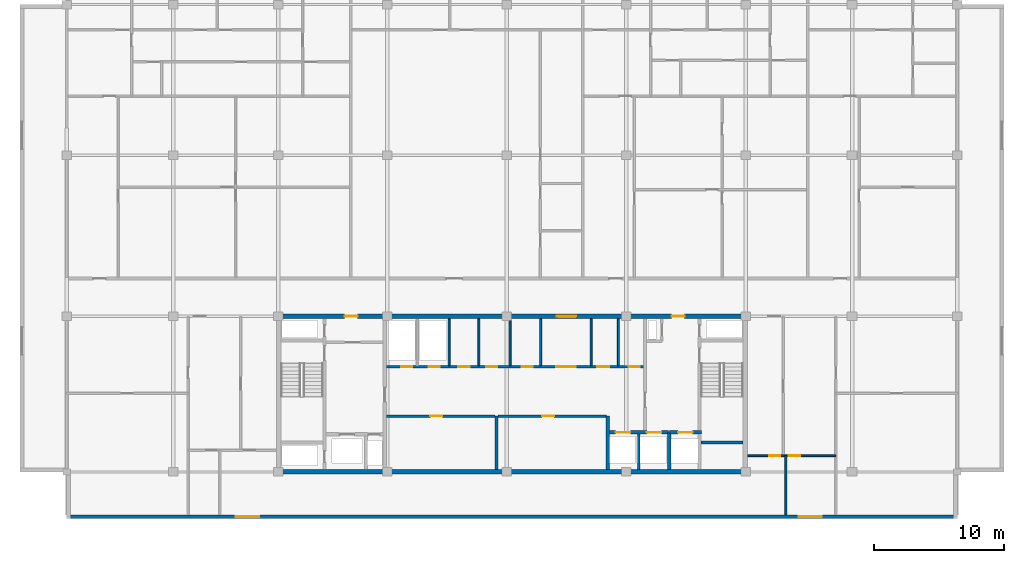
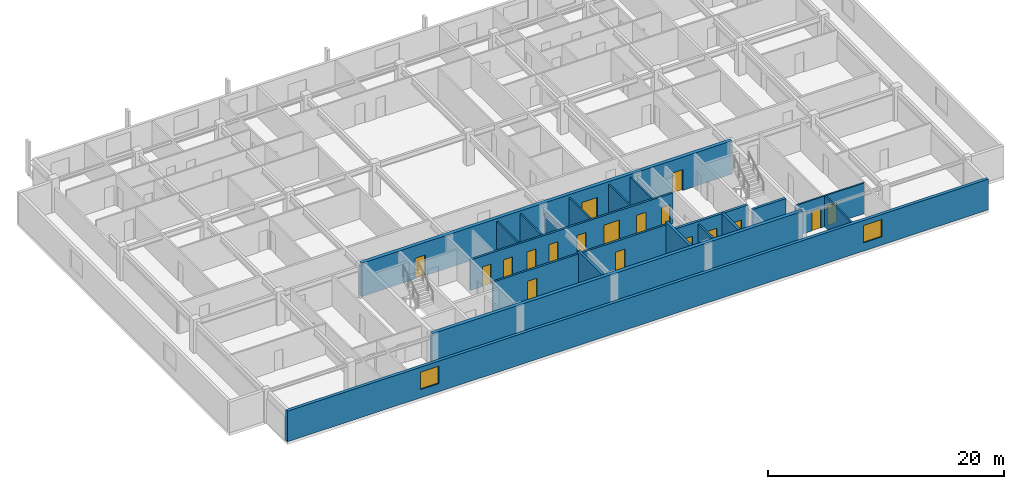
# One storey, part 4 of 10: 21 walls, 18 doors, 2 windows, 20 openings.
"""IFC4 building model written with IfcOpenShell, lengths in metres."""

from ifc_helpers import new_model, si_unit, direction, frame, frame_2d, origin, place, context, subcontext, project, spatial, rectangle, extrude, material, layer, layer_set, type_object, element, fill, save


model = new_model("IFC4")

# Units and contexts
model_context = context("Model", 3, precision=1e-05, world=origin(), true_north=direction((0.0, 1.0)))
body_context = subcontext(model_context, "Body", "Model", "MODEL_VIEW")
ifc_project = project(units=[si_unit("LENGTHUNIT", "METRE"), si_unit("AREAUNIT", "SQUARE_METRE"), si_unit("VOLUMEUNIT", "CUBIC_METRE"), si_unit("PLANEANGLEUNIT", "RADIAN"), si_unit("MASSUNIT", "GRAM", prefix="KILO")], contexts=[model_context])

# Site, building, storey
site_placement = place(None, origin())
site = spatial("IfcSite", under=ifc_project, at=site_placement, CompositionType="ELEMENT")
building_placement = place(site_placement, origin())
building = spatial("IfcBuilding", under=site, at=building_placement, Name="Korimba Cascade Residences", CompositionType="ELEMENT")
storey_placement = place(building_placement, frame((0.0, 0.0, 232.10009765625)))
storey = spatial("IfcBuildingStorey", under=building, at=storey_placement, Name="L67", CompositionType="ELEMENT", Elevation=232.10009765625)

# Wall, openings, windows
ifc_material_1 = material(Name="Precast concrete C40/50", Category="concrete")
ifc_layer_1 = layer(ifc_material_1, 0.300048828125)
ifc_layer_set_1 = layer_set([ifc_layer_1], Name="Precast concrete C40/50")
wall_type_1 = type_object("IfcWallType", Name="EW-STONE-300", PredefinedType="STANDARD", material=ifc_layer_set_1)
wall_1_placement = place(storey_placement, frame((59.800048828125, 51.75, 0.0), z_axis=(0.0, 0.0, 1.0), x_axis=(1.0, 0.0, 0.0)))
wall_1 = element("IfcWall", 1, at=wall_1_placement, inside=storey, type_object=wall_type_1, Name="L67 T1 Perimeter Stone Wall E00", PredefinedType="STANDARD", context=body_context, shape_type="SweptSolid", body=[
    extrude(rectangle(XDim=68.599853515625, YDim=0.300048828125, at=frame_2d((34.2998046875, 0.0))), origin(), (0.0, 0.0, 1.0), 3.169921875),
])
opening_1_placement = place(wall_1_placement, frame((13.02490234375, 0.0, 0.85009765625)))
opening_1 = element("IfcOpeningElement", 2, at=opening_1_placement, cuts=wall_1, Name="Opening W-02", PredefinedType="OPENING", context=body_context, shape_type="SweptSolid", body=[
    extrude(rectangle(XDim=1.800048828125, YDim=1.800048828125, at=frame_2d((0.89990234375, 0.89990234375))), frame((0.0, 0.16015625, 0.0), z_axis=(0.0, -1.0, 0.0), x_axis=(1.0, 0.0, 0.0)), (0.0, 0.0, 1.0), 0.320068359375),
])
opening_2_placement = place(wall_1_placement, frame((56.375, 0.0, 0.85009765625)))
opening_2 = element("IfcOpeningElement", 3, at=opening_2_placement, cuts=wall_1, Name="Opening W-02", PredefinedType="OPENING", context=body_context, shape_type="SweptSolid", body=[
    extrude(rectangle(XDim=1.800048828125, YDim=1.800048828125, at=frame_2d((0.89990234375, 0.89990234375))), frame((0.0, 0.16015625, 0.0), z_axis=(0.0, -1.0, 0.0), x_axis=(1.0, 0.0, 0.0)), (0.0, 0.0, 1.0), 0.320068359375),
])
ifc_material_2 = material(Name="Double-Glazed Aluminium Window", Category="aluminium")
window_type = type_object("IfcWindowType", Name="WIN-BED-1800", PartitioningType="SINGLE_PANEL", PredefinedType="WINDOW", material=ifc_material_2)
window_1_placement = place(opening_1_placement, origin())
window_1 = element("IfcWindow", 4, at=window_1_placement, inside=storey, type_object=window_type, Name="L67 T1 South Corner Bedroom Window 1", OverallHeight=1.800048828125, OverallWidth=1.800048828125, PartitioningType="SINGLE_PANEL", PredefinedType="WINDOW", context=body_context, shape_type="SweptSolid", body=[
    extrude(rectangle(XDim=1.800048828125, YDim=1.800048828125, at=frame_2d((0.89990234375, 0.89990234375))), frame((0.0, 0.030029296875, 0.0), z_axis=(0.0, -1.0, 0.0), x_axis=(1.0, 0.0, 0.0)), (0.0, 0.0, 1.0), 0.06005859375),
])
fill(opening_1, window_1)
window_2_placement = place(opening_2_placement, origin())
window_2 = element("IfcWindow", 5, at=window_2_placement, inside=storey, type_object=window_type, Name="L67 T1 South Corner Bedroom Window 2", OverallHeight=1.800048828125, OverallWidth=1.800048828125, PartitioningType="SINGLE_PANEL", PredefinedType="WINDOW", context=body_context, shape_type="SweptSolid", body=[
    extrude(rectangle(XDim=1.800048828125, YDim=1.800048828125, at=frame_2d((0.89990234375, 0.89990234375))), frame((0.0, 0.030029296875, 0.0), z_axis=(0.0, -1.0, 0.0), x_axis=(1.0, 0.0, 0.0)), (0.0, 0.0, 1.0), 0.06005859375),
])
fill(opening_2, window_2)

# Wall
ifc_material_3 = material(Name="Concrete C65/80", Category="concrete")
ifc_layer_2 = layer(ifc_material_3, 0.35009765625)
ifc_layer_set_2 = layer_set([ifc_layer_2], Name="Concrete C65/80")
wall_type_2 = type_object("IfcWallType", Name="WAL-CORE-350", PredefinedType="SHEAR", material=ifc_layer_set_2)
wall_2_placement = place(storey_placement, frame((75.949951171875, 55.199951171875, 0.0), z_axis=(0.0, 0.0, 1.0), x_axis=(1.0, 0.0, 0.0)))
element("IfcWall", 6, at=wall_2_placement, inside=storey, type_object=wall_type_2, Name="L67 Core Shear Wall CW-L67-T1-S", PredefinedType="SHEAR", context=body_context, shape_type="SweptSolid", body=[
    extrude(rectangle(XDim=36.300048828125, YDim=0.35009765625, at=frame_2d((18.14990234375, 0.0))), origin(), (0.0, 0.0, 1.0), 3.449951171875),
])

# Wall, openings, doors
wall_3_placement = place(storey_placement, frame((75.949951171875, 67.199951171875, 0.0), z_axis=(0.0, 0.0, 1.0), x_axis=(1.0, 0.0, 0.0)))
wall_3 = element("IfcWall", 7, at=wall_3_placement, inside=storey, type_object=wall_type_2, Name="L67 Core Shear Wall CW-L67-T1-N", PredefinedType="SHEAR", context=body_context, shape_type="SweptSolid", body=[
    extrude(rectangle(XDim=36.300048828125, YDim=0.35009765625, at=frame_2d((18.14990234375, 0.0))), origin(), (0.0, 0.0, 1.0), 3.449951171875),
])
opening_3_placement = place(wall_3_placement, frame((5.25, 0.0, 0.0)))
opening_3 = element("IfcOpeningElement", 8, at=opening_3_placement, cuts=wall_3, Name="Opening D-FD5", PredefinedType="OPENING", context=body_context, shape_type="SweptSolid", body=[
    extrude(rectangle(XDim=1.0, YDim=2.14990234375, at=frame_2d((0.5, 1.074951171875))), frame((0.0, 0.18505859375, 0.0), z_axis=(0.0, -1.0, 0.0), x_axis=(1.0, 0.0, 0.0)), (0.0, 0.0, 1.0), 0.3701171875),
])
opening_4_placement = place(wall_3_placement, frame((21.60009765625, 0.0, 0.0)))
opening_4 = element("IfcOpeningElement", 9, at=opening_4_placement, cuts=wall_3, Name="Opening D-FD8", PredefinedType="OPENING", context=body_context, shape_type="SweptSolid", body=[
    extrude(rectangle(XDim=1.5, YDim=2.199951171875, at=frame_2d((0.75, 1.10009765625))), frame((0.0, 0.18505859375, 0.0), z_axis=(0.0, -1.0, 0.0), x_axis=(1.0, 0.0, 0.0)), (0.0, 0.0, 1.0), 0.3701171875),
])
opening_5_placement = place(wall_3_placement, frame((30.449951171875, 0.0, 0.0)))
opening_5 = element("IfcOpeningElement", 10, at=opening_5_placement, cuts=wall_3, Name="Opening D-FD5", PredefinedType="OPENING", context=body_context, shape_type="SweptSolid", body=[
    extrude(rectangle(XDim=1.0, YDim=2.14990234375, at=frame_2d((0.5, 1.074951171875))), frame((0.0, 0.18505859375, 0.0), z_axis=(0.0, -1.0, 0.0), x_axis=(1.0, 0.0, 0.0)), (0.0, 0.0, 1.0), 0.3701171875),
])
ifc_material_4 = material(Name="Fire-Rated Acoustic Timber Vestibule Door", Category="wood")
door_type_1 = type_object("IfcDoorType", Name="DR-FD90-1000", OperationType="NOTDEFINED", PredefinedType="DOOR", material=ifc_material_4)
door_1_placement = place(opening_3_placement, origin())
door_1 = element("IfcDoor", 11, at=door_1_placement, inside=storey, type_object=door_type_1, Name="L67 T1 West Core Vestibule Fire Door", OperationType="SINGLE_SWING_LEFT", OverallHeight=2.14990234375, OverallWidth=1.0, PredefinedType="DOOR", context=body_context, shape_type="SweptSolid", body=[
    extrude(rectangle(XDim=1.0, YDim=2.14990234375, at=frame_2d((0.5, 1.074951171875))), frame((0.0, 0.02490234375, 0.0), z_axis=(0.0, -1.0, 0.0), x_axis=(1.0, 0.0, 0.0)), (0.0, 0.0, 1.0), 0.050048828125),
])
fill(opening_3, door_1)
door_2_placement = place(opening_5_placement, origin())
door_2 = element("IfcDoor", 12, at=door_2_placement, inside=storey, type_object=door_type_1, Name="L67 T1 East Firefighting Vestibule Fire Door", OperationType="SINGLE_SWING_RIGHT", OverallHeight=2.14990234375, OverallWidth=1.0, PredefinedType="DOOR", context=body_context, shape_type="SweptSolid", body=[
    extrude(rectangle(XDim=1.0, YDim=2.14990234375, at=frame_2d((0.5, 1.074951171875))), frame((0.0, 0.02490234375, 0.0), z_axis=(0.0, -1.0, 0.0), x_axis=(1.0, 0.0, 0.0)), (0.0, 0.0, 1.0), 0.050048828125),
])
fill(opening_5, door_2)
ifc_material_5 = material(Name="Fire-Rated Glazed Lift Lobby Double Door", Category="glass")
door_type_2 = type_object("IfcDoorType", Name="DR-FD90-1500", OperationType="NOTDEFINED", PredefinedType="DOOR", material=ifc_material_5)
door_3_placement = place(opening_4_placement, origin())
door_3 = element("IfcDoor", 13, at=door_3_placement, inside=storey, type_object=door_type_2, Name="L67 T1 Lift Lobby Fire Door", OperationType="DOUBLE_DOOR_SINGLE_SWING", OverallHeight=2.199951171875, OverallWidth=1.5, PredefinedType="DOOR", context=body_context, shape_type="SweptSolid", body=[
    extrude(rectangle(XDim=1.5, YDim=2.199951171875, at=frame_2d((0.75, 1.10009765625))), frame((0.0, 0.02490234375, 0.0), z_axis=(0.0, -1.0, 0.0), x_axis=(1.0, 0.0, 0.0)), (0.0, 0.0, 1.0), 0.050048828125),
])
fill(opening_4, door_3)

# Walls
ifc_material_6 = material(Name="Insulated Acoustic Stud Partition", Category="gypsum")
ifc_layer_3 = layer(ifc_material_6, 0.14990234375)
ifc_layer_set_3 = layer_set([ifc_layer_3], Name="Insulated Acoustic Stud Partition")
wall_type_3 = type_object("IfcWallType", Name="WAL-PART-150", PredefinedType="PARTITIONING", material=ifc_layer_set_3)
for number, where, z_axis, x_axis, name in (
    (14, (89.25, 63.39990234375, 0.0), (0.0, 0.0, 1.0), (0.0, 1.0, 0.0), "L67 Partition Wall CW-L67-T1-PRDIV"),
    (15, (91.550048828125, 63.39990234375, 0.0), (0.0, 0.0, 1.0), (0.0, 1.0, 0.0), "L67 Partition Wall CW-L67-T1-CA1W1"),
):
    element("IfcWall", number, at=place(storey_placement, frame(where, z_axis=z_axis, x_axis=x_axis)), inside=storey, type_object=wall_type_3, Name=name, PredefinedType="PARTITIONING", context=body_context, shape_type="SweptSolid", body=[
        extrude(rectangle(XDim=3.60009765625, YDim=0.14990234375, at=frame_2d((1.800048828125, 0.0))), origin(), (0.0, 0.0, 1.0), 3.169921875),
    ])
wall_4_placement = place(storey_placement, frame((93.949951171875, 63.39990234375, 0.0), z_axis=(0.0, 0.0, 1.0), x_axis=(0.0, 1.0, 0.0)))
element("IfcWall", 16, at=wall_4_placement, inside=storey, type_object=wall_type_3, Name="L67 Partition Wall CW-L67-T1-CA1W2", PredefinedType="PARTITIONING", context=body_context, shape_type="SweptSolid", body=[
    extrude(rectangle(XDim=3.60009765625, YDim=0.14990234375, at=frame_2d((1.800048828125, 0.0))), origin(), (0.0, 0.0, 1.0), 2.47705078125),
])
for number, where, z_axis, x_axis, name in (
    (17, (102.300048828125, 63.39990234375, 0.0), (0.0, 0.0, 1.0), (0.0, 1.0, 0.0), "L67 Partition Wall CW-L67-T1-CA1E1"),
    (18, (96.300048828125, 63.39990234375, 0.0), (0.0, 0.0, 1.0), (0.0, 1.0, 0.0), "L67 Partition Wall CW-L67-T1-THW"),
    (19, (100.199951171875, 63.39990234375, 0.0), (0.0, 0.0, 1.0), (0.0, 1.0, 0.0), "L67 Partition Wall CW-L67-T1-THE"),
):
    element("IfcWall", number, at=place(storey_placement, frame(where, z_axis=z_axis, x_axis=x_axis)), inside=storey, type_object=wall_type_3, Name=name, PredefinedType="PARTITIONING", context=body_context, shape_type="SweptSolid", body=[
        extrude(rectangle(XDim=3.60009765625, YDim=0.14990234375, at=frame_2d((1.800048828125, 0.0))), origin(), (0.0, 0.0, 1.0), 3.169921875),
    ])
wall_5_placement = place(storey_placement, frame((115.199951171875, 51.89990234375, 0.0), z_axis=(0.0, 0.0, 1.0), x_axis=(0.0, 1.0, 0.0)))
element("IfcWall", 20, at=wall_5_placement, inside=storey, type_object=wall_type_3, Name="L67 Partition Wall WAL-L67-T1-FE-VS", PredefinedType="PARTITIONING", context=body_context, shape_type="SweptSolid", body=[
    extrude(rectangle(XDim=4.550048828125, YDim=0.14990234375, at=frame_2d((2.27490234375, 0.0))), origin(), (0.0, 0.0, 1.0), 3.169921875),
])

# Wall, openings, doors
wall_6_placement = place(storey_placement, frame((112.27001953125, 56.449951171875, 0.0), z_axis=(0.0, 0.0, 1.0), x_axis=(1.0, 0.0, 0.0)))
wall_6 = element("IfcWall", 21, at=wall_6_placement, inside=storey, type_object=wall_type_3, Name="L67 Partition Wall WAL-L67-T1-FE-H", PredefinedType="PARTITIONING", context=body_context, shape_type="SweptSolid", body=[
    extrude(rectangle(XDim=6.760009765625, YDim=0.14990234375, at=frame_2d((3.3798828125, 0.0))), origin(), (0.0, 0.0, 1.0), 3.169921875),
])
opening_6_placement = place(wall_6_placement, frame((1.6396484375, 0.0, 0.0)))
opening_6 = element("IfcOpeningElement", 22, at=opening_6_placement, cuts=wall_6, Name="Opening D-BT1", PredefinedType="OPENING", context=body_context, shape_type="SweptSolid", body=[
    extrude(rectangle(XDim=0.840087890625, YDim=2.0400390625, at=frame_2d((0.419921875, 1.02001953125))), frame((0.0, 0.0849609375, 0.0), z_axis=(0.0, -1.0, 0.0), x_axis=(1.0, 0.0, 0.0)), (0.0, 0.0, 1.0), 0.169921875),
])
opening_7_placement = place(wall_6_placement, frame((3.160400390625, 0.0, 0.0)))
opening_7 = element("IfcOpeningElement", 23, at=opening_7_placement, cuts=wall_6, Name="Opening D-IN2", PredefinedType="OPENING", context=body_context, shape_type="SweptSolid", body=[
    extrude(rectangle(XDim=0.8798828125, YDim=2.06005859375, at=frame_2d((0.43994140625, 1.030029296875))), frame((0.0, 0.0849609375, 0.0), z_axis=(0.0, -1.0, 0.0), x_axis=(1.0, 0.0, 0.0)), (0.0, 0.0, 1.0), 0.169921875),
])
ifc_material_7 = material(Name="Moisture-Resistant Bathroom Timber Door", Category="wood")
door_type_3 = type_object("IfcDoorType", Name="DR-INT-850", OperationType="NOTDEFINED", PredefinedType="DOOR", material=ifc_material_7)
door_4_placement = place(opening_6_placement, origin())
door_4 = element("IfcDoor", 24, at=door_4_placement, inside=storey, type_object=door_type_3, Name="L67-T1-FE Bathroom Door", OperationType="SINGLE_SWING_LEFT", OverallHeight=2.0400390625, OverallWidth=0.840087890625, PredefinedType="DOOR", context=body_context, shape_type="SweptSolid", body=[
    extrude(rectangle(XDim=0.840087890625, YDim=2.0400390625, at=frame_2d((0.419921875, 1.02001953125))), frame((0.0, 0.02490234375, 0.0), z_axis=(0.0, -1.0, 0.0), x_axis=(1.0, 0.0, 0.0)), (0.0, 0.0, 1.0), 0.050048828125),
])
fill(opening_6, door_4)
ifc_material_8 = material(Name="Acoustic Timber Bedroom Door", Category="wood")
door_type_4 = type_object("IfcDoorType", Name="DR-INT-880", OperationType="NOTDEFINED", PredefinedType="DOOR", material=ifc_material_8)
door_5_placement = place(opening_7_placement, origin())
door_5 = element("IfcDoor", 25, at=door_5_placement, inside=storey, type_object=door_type_4, Name="L67-T1-FE Bedroom Door", OperationType="SINGLE_SWING_RIGHT", OverallHeight=2.06005859375, OverallWidth=0.8798828125, PredefinedType="DOOR", context=body_context, shape_type="SweptSolid", body=[
    extrude(rectangle(XDim=0.8798828125, YDim=2.06005859375, at=frame_2d((0.43994140625, 1.030029296875))), frame((0.0, 0.02490234375, 0.0), z_axis=(0.0, -1.0, 0.0), x_axis=(1.0, 0.0, 0.0)), (0.0, 0.0, 1.0), 0.050048828125),
])
fill(opening_7, door_5)

# Wall, opening, door
ifc_material_9 = material(Name="Concrete C40/50", Category="concrete")
ifc_layer_4 = layer(ifc_material_9, 0.199951171875)
ifc_layer_set_4 = layer_set([ifc_layer_4], Name="Concrete C40/50")
wall_type_4 = type_object("IfcWallType", Name="WAL-PART-200", PredefinedType="PARTITIONING", material=ifc_layer_set_4)
wall_7_placement = place(storey_placement, frame((84.419921875, 59.5, 0.0), z_axis=(0.0, 0.0, 1.0), x_axis=(1.0, 0.0, 0.0)))
wall_7 = element("IfcWall", 26, at=wall_7_placement, inside=storey, type_object=wall_type_4, Name="L67 Partition Wall CW-L67-T1-B1RN", PredefinedType="PARTITIONING", context=body_context, shape_type="SweptSolid", body=[
    extrude(rectangle(XDim=8.360107421875, YDim=0.199951171875, at=frame_2d((4.18017578125, 0.0))), origin(), (0.0, 0.0, 1.0), 3.169921875),
])
opening_8_placement = place(wall_7_placement, frame((3.39990234375, 0.0, 0.0)))
opening_8 = element("IfcOpeningElement", 27, at=opening_8_placement, cuts=wall_7, Name="Opening D-ST1", PredefinedType="OPENING", context=body_context, shape_type="SweptSolid", body=[
    extrude(rectangle(XDim=0.919921875, YDim=2.080078125, at=frame_2d((0.4599609375, 1.0400390625))), frame((0.0, 0.10986328125, 0.0), z_axis=(0.0, -1.0, 0.0), x_axis=(1.0, 0.0, 0.0)), (0.0, 0.0, 1.0), 0.219970703125),
])
ifc_material_10 = material(Name="Fire-Rated Core Store Door", Category="wood")
door_type_5 = type_object("IfcDoorType", Name="DR-FD60-920", OperationType="NOTDEFINED", PredefinedType="DOOR", material=ifc_material_10)
door_6_placement = place(opening_8_placement, origin())
door_6 = element("IfcDoor", 28, at=door_6_placement, inside=storey, type_object=door_type_5, Name="L67 Resident Storage Door", OperationType="SINGLE_SWING_LEFT", OverallHeight=2.080078125, OverallWidth=0.919921875, PredefinedType="DOOR", context=body_context, shape_type="SweptSolid", body=[
    extrude(rectangle(XDim=0.919921875, YDim=2.080078125, at=frame_2d((0.4599609375, 1.0400390625))), frame((0.0, 0.02490234375, 0.0), z_axis=(0.0, -1.0, 0.0), x_axis=(1.0, 0.0, 0.0)), (0.0, 0.0, 1.0), 0.050048828125),
])
fill(opening_8, door_6)

wall_8_placement = place(storey_placement, frame((93.02001953125, 59.5, 0.0), z_axis=(0.0, 0.0, 1.0), x_axis=(1.0, 0.0, 0.0)))
wall_8 = element("IfcWall", 29, at=wall_8_placement, inside=storey, type_object=wall_type_4, Name="L67 Partition Wall CW-L67-T1-B2RN", PredefinedType="PARTITIONING", context=body_context, shape_type="SweptSolid", body=[
    extrude(rectangle(XDim=8.35986328125, YDim=0.199951171875, at=frame_2d((4.179931640625, 0.0))), origin(), (0.0, 0.0, 1.0), 3.169921875),
])
opening_9_placement = place(wall_8_placement, frame((3.39990234375, 0.0, 0.0)))
opening_9 = element("IfcOpeningElement", 30, at=opening_9_placement, cuts=wall_8, Name="Opening D-ST1", PredefinedType="OPENING", context=body_context, shape_type="SweptSolid", body=[
    extrude(rectangle(XDim=0.919921875, YDim=2.080078125, at=frame_2d((0.4599609375, 1.0400390625))), frame((0.0, 0.10986328125, 0.0), z_axis=(0.0, -1.0, 0.0), x_axis=(1.0, 0.0, 0.0)), (0.0, 0.0, 1.0), 0.219970703125),
])
door_7_placement = place(opening_9_placement, origin())
door_7 = element("IfcDoor", 31, at=door_7_placement, inside=storey, type_object=door_type_5, Name="L67 Wine Cellar Store Door", OperationType="SINGLE_SWING_RIGHT", OverallHeight=2.080078125, OverallWidth=0.919921875, PredefinedType="DOOR", context=body_context, shape_type="SweptSolid", body=[
    extrude(rectangle(XDim=0.919921875, YDim=2.080078125, at=frame_2d((0.4599609375, 1.0400390625))), frame((0.0, 0.02490234375, 0.0), z_axis=(0.0, -1.0, 0.0), x_axis=(1.0, 0.0, 0.0)), (0.0, 0.0, 1.0), 0.050048828125),
])
fill(opening_9, door_7)

# Wall
wall_9_placement = place(storey_placement, frame((103.85009765625, 55.39990234375, 0.0), z_axis=(0.0, 0.0, 1.0), x_axis=(0.0, 1.0, 0.0)))
element("IfcWall", 32, at=wall_9_placement, inside=storey, type_object=wall_type_4, Name="L67 Partition Wall CW-L67-T1-B3D1", PredefinedType="PARTITIONING", context=body_context, shape_type="SweptSolid", body=[
    extrude(rectangle(XDim=2.72021484375, YDim=0.199951171875, at=frame_2d((1.360107421875, 0.0))), origin(), (0.0, 0.0, 1.0), 3.169921875),
])

# Wall, openings, doors
wall_10_placement = place(storey_placement, frame((84.419921875, 63.300048828125, 0.0), z_axis=(0.0, 0.0, 1.0), x_axis=(1.0, 0.0, 0.0)))
wall_10 = element("IfcWall", 33, at=wall_10_placement, inside=storey, type_object=wall_type_4, Name="L67 Partition Wall CW-L67-T1-SRVROW", PredefinedType="PARTITIONING", context=body_context, shape_type="SweptSolid", body=[
    extrude(rectangle(XDim=19.830078125, YDim=0.199951171875, at=frame_2d((9.9150390625, 0.0))), origin(), (0.0, 0.0, 1.0), 3.169921875),
])
opening_10_placement = place(wall_10_placement, frame((1.14990234375, 0.0, 0.0)))
opening_10 = element("IfcOpeningElement", 34, at=opening_10_placement, cuts=wall_10, Name="Opening D-RS1", PredefinedType="OPENING", context=body_context, shape_type="SweptSolid", body=[
    extrude(rectangle(XDim=0.85009765625, YDim=2.050048828125, at=frame_2d((0.425048828125, 1.02490234375))), frame((0.0, 0.10986328125, 0.0), z_axis=(0.0, -1.0, 0.0), x_axis=(1.0, 0.0, 0.0)), (0.0, 0.0, 1.0), 0.219970703125),
])
opening_11_placement = place(wall_10_placement, frame((3.25, 0.0, 0.0)))
opening_11 = element("IfcOpeningElement", 35, at=opening_11_placement, cuts=wall_10, Name="Opening D-RS1", PredefinedType="OPENING", context=body_context, shape_type="SweptSolid", body=[
    extrude(rectangle(XDim=0.85009765625, YDim=2.050048828125, at=frame_2d((0.425048828125, 1.02490234375))), frame((0.0, 0.10986328125, 0.0), z_axis=(0.0, -1.0, 0.0), x_axis=(1.0, 0.0, 0.0)), (0.0, 0.0, 1.0), 0.219970703125),
])
opening_12_placement = place(wall_10_placement, frame((13.080078125, 0.0, 0.0)))
opening_12 = element("IfcOpeningElement", 36, at=opening_12_placement, cuts=wall_10, Name="Opening D-FD8", PredefinedType="OPENING", context=body_context, shape_type="SweptSolid", body=[
    extrude(rectangle(XDim=1.5, YDim=2.199951171875, at=frame_2d((0.75, 1.10009765625))), frame((0.0, 0.10986328125, 0.0), z_axis=(0.0, -1.0, 0.0), x_axis=(1.0, 0.0, 0.0)), (0.0, 0.0, 1.0), 0.219970703125),
])
opening_13_placement = place(wall_10_placement, frame((5.530029296875, 0.0, 0.0)))
opening_13 = element("IfcOpeningElement", 37, at=opening_13_placement, cuts=wall_10, Name="Opening D-IN2", PredefinedType="OPENING", context=body_context, shape_type="SweptSolid", body=[
    extrude(rectangle(XDim=0.8798828125, YDim=2.06005859375, at=frame_2d((0.43994140625, 1.030029296875))), frame((0.0, 0.10986328125, 0.0), z_axis=(0.0, -1.0, 0.0), x_axis=(1.0, 0.0, 0.0)), (0.0, 0.0, 1.0), 0.219970703125),
])
opening_14_placement = place(wall_10_placement, frame((7.679931640625, 0.0, 0.0)))
opening_14 = element("IfcOpeningElement", 38, at=opening_14_placement, cuts=wall_10, Name="Opening D-IN2", PredefinedType="OPENING", context=body_context, shape_type="SweptSolid", body=[
    extrude(rectangle(XDim=0.8798828125, YDim=2.06005859375, at=frame_2d((0.43994140625, 1.030029296875))), frame((0.0, 0.10986328125, 0.0), z_axis=(0.0, -1.0, 0.0), x_axis=(1.0, 0.0, 0.0)), (0.0, 0.0, 1.0), 0.219970703125),
])
opening_15_placement = place(wall_10_placement, frame((10.429931640625, 0.0, 0.0)))
opening_15 = element("IfcOpeningElement", 39, at=opening_15_placement, cuts=wall_10, Name="Opening D-RS1", PredefinedType="OPENING", context=body_context, shape_type="SweptSolid", body=[
    extrude(rectangle(XDim=0.85009765625, YDim=2.050048828125, at=frame_2d((0.425048828125, 1.02490234375))), frame((0.0, 0.10986328125, 0.0), z_axis=(0.0, -1.0, 0.0), x_axis=(1.0, 0.0, 0.0)), (0.0, 0.0, 1.0), 0.219970703125),
])
opening_16_placement = place(wall_10_placement, frame((16.22998046875, 0.0, 0.0)))
opening_16 = element("IfcOpeningElement", 40, at=opening_16_placement, cuts=wall_10, Name="Opening D-AC1", PredefinedType="OPENING", context=body_context, shape_type="SweptSolid", body=[
    extrude(rectangle(XDim=0.9599609375, YDim=2.10009765625, at=frame_2d((0.47998046875, 1.050048828125))), frame((0.0, 0.10986328125, 0.0), z_axis=(0.0, -1.0, 0.0), x_axis=(1.0, 0.0, 0.0)), (0.0, 0.0, 1.0), 0.219970703125),
])
opening_17_placement = place(wall_10_placement, frame((18.679931640625, 0.0, 0.0)))
opening_17 = element("IfcOpeningElement", 41, at=opening_17_placement, cuts=wall_10, Name="Opening D-BT1", PredefinedType="OPENING", context=body_context, shape_type="SweptSolid", body=[
    extrude(rectangle(XDim=0.840087890625, YDim=2.0400390625, at=frame_2d((0.419921875, 1.02001953125))), frame((0.0, 0.10986328125, 0.0), z_axis=(0.0, -1.0, 0.0), x_axis=(1.0, 0.0, 0.0)), (0.0, 0.0, 1.0), 0.219970703125),
])
ifc_material_11 = material(Name="Accessible Acoustic Timber WC Door", Category="wood")
door_type_6 = type_object("IfcDoorType", Name="DR-ACC-950", OperationType="NOTDEFINED", PredefinedType="DOOR", material=ifc_material_11)
door_8_placement = place(opening_16_placement, origin())
door_8 = element("IfcDoor", 42, at=door_8_placement, inside=storey, type_object=door_type_6, Name="L67 Accessible Staff WC Door", OperationType="SINGLE_SWING_RIGHT", OverallHeight=2.10009765625, OverallWidth=0.9599609375, PredefinedType="DOOR", context=body_context, shape_type="SweptSolid", body=[
    extrude(rectangle(XDim=0.9599609375, YDim=2.10009765625, at=frame_2d((0.47998046875, 1.050048828125))), frame((0.0, 0.02490234375, 0.0), z_axis=(0.0, -1.0, 0.0), x_axis=(1.0, 0.0, 0.0)), (0.0, 0.0, 1.0), 0.050048828125),
])
fill(opening_16, door_8)
ifc_material_12 = material(Name="Fire-Rated Steel Riser Access Door", Category="steel")
door_type_7 = type_object("IfcDoorType", Name="DR-FD60-850", OperationType="NOTDEFINED", PredefinedType="DOOR", material=ifc_material_12)
door_9_placement = place(opening_10_placement, origin())
door_9 = element("IfcDoor", 43, at=door_9_placement, inside=storey, type_object=door_type_7, Name="L67 Electrical Riser Door", OperationType="SINGLE_SWING_LEFT", OverallHeight=2.050048828125, OverallWidth=0.85009765625, PredefinedType="DOOR", context=body_context, shape_type="SweptSolid", body=[
    extrude(rectangle(XDim=0.85009765625, YDim=2.050048828125, at=frame_2d((0.425048828125, 1.02490234375))), frame((0.0, 0.02490234375, 0.0), z_axis=(0.0, -1.0, 0.0), x_axis=(1.0, 0.0, 0.0)), (0.0, 0.0, 1.0), 0.050048828125),
])
fill(opening_10, door_9)
door_10_placement = place(opening_11_placement, origin())
door_10 = element("IfcDoor", 44, at=door_10_placement, inside=storey, type_object=door_type_7, Name="L67 Plumbing Riser Door", OperationType="SINGLE_SWING_RIGHT", OverallHeight=2.050048828125, OverallWidth=0.85009765625, PredefinedType="DOOR", context=body_context, shape_type="SweptSolid", body=[
    extrude(rectangle(XDim=0.85009765625, YDim=2.050048828125, at=frame_2d((0.425048828125, 1.02490234375))), frame((0.0, 0.02490234375, 0.0), z_axis=(0.0, -1.0, 0.0), x_axis=(1.0, 0.0, 0.0)), (0.0, 0.0, 1.0), 0.050048828125),
])
fill(opening_11, door_10)
door_11_placement = place(opening_15_placement, origin())
door_11 = element("IfcDoor", 45, at=door_11_placement, inside=storey, type_object=door_type_7, Name="L67 IT Room Door", OperationType="SINGLE_SWING_LEFT", OverallHeight=2.050048828125, OverallWidth=0.85009765625, PredefinedType="DOOR", context=body_context, shape_type="SweptSolid", body=[
    extrude(rectangle(XDim=0.85009765625, YDim=2.050048828125, at=frame_2d((0.425048828125, 1.02490234375))), frame((0.0, 0.02490234375, 0.0), z_axis=(0.0, -1.0, 0.0), x_axis=(1.0, 0.0, 0.0)), (0.0, 0.0, 1.0), 0.050048828125),
])
fill(opening_15, door_11)
door_12_placement = place(opening_12_placement, origin())
door_12 = element("IfcDoor", 46, at=door_12_placement, inside=storey, type_object=door_type_2, Name="L67 Lift Lobby Foyer Archway Door", OperationType="DOUBLE_DOOR_SINGLE_SWING", OverallHeight=2.199951171875, OverallWidth=1.5, PredefinedType="DOOR", context=body_context, shape_type="SweptSolid", body=[
    extrude(rectangle(XDim=1.5, YDim=2.199951171875, at=frame_2d((0.75, 1.10009765625))), frame((0.0, 0.02490234375, 0.0), z_axis=(0.0, -1.0, 0.0), x_axis=(1.0, 0.0, 0.0)), (0.0, 0.0, 1.0), 0.050048828125),
])
fill(opening_12, door_12)
door_13_placement = place(opening_17_placement, origin())
door_13 = element("IfcDoor", 47, at=door_13_placement, inside=storey, type_object=door_type_3, Name="L67 Vending Room Door", OperationType="SINGLE_SWING_LEFT", OverallHeight=2.0400390625, OverallWidth=0.840087890625, PredefinedType="DOOR", context=body_context, shape_type="SweptSolid", body=[
    extrude(rectangle(XDim=0.840087890625, YDim=2.0400390625, at=frame_2d((0.419921875, 1.02001953125))), frame((0.0, 0.02490234375, 0.0), z_axis=(0.0, -1.0, 0.0), x_axis=(1.0, 0.0, 0.0)), (0.0, 0.0, 1.0), 0.050048828125),
])
fill(opening_17, door_13)
door_14_placement = place(opening_13_placement, origin())
door_14 = element("IfcDoor", 48, at=door_14_placement, inside=storey, type_object=door_type_4, Name="L67 Cleaners Door", OperationType="SINGLE_SWING_LEFT", OverallHeight=2.06005859375, OverallWidth=0.8798828125, PredefinedType="DOOR", context=body_context, shape_type="SweptSolid", body=[
    extrude(rectangle(XDim=0.8798828125, YDim=2.06005859375, at=frame_2d((0.43994140625, 1.030029296875))), frame((0.0, 0.02490234375, 0.0), z_axis=(0.0, -1.0, 0.0), x_axis=(1.0, 0.0, 0.0)), (0.0, 0.0, 1.0), 0.050048828125),
])
fill(opening_13, door_14)
door_15_placement = place(opening_14_placement, origin())
door_15 = element("IfcDoor", 49, at=door_15_placement, inside=storey, type_object=door_type_4, Name="L67 Pantry Door", OperationType="SINGLE_SWING_RIGHT", OverallHeight=2.06005859375, OverallWidth=0.8798828125, PredefinedType="DOOR", context=body_context, shape_type="SweptSolid", body=[
    extrude(rectangle(XDim=0.8798828125, YDim=2.06005859375, at=frame_2d((0.43994140625, 1.030029296875))), frame((0.0, 0.02490234375, 0.0), z_axis=(0.0, -1.0, 0.0), x_axis=(1.0, 0.0, 0.0)), (0.0, 0.0, 1.0), 0.050048828125),
])
fill(opening_14, door_15)

# Walls
ifc_material_13 = material(Name="Concrete C50/60", Category="concrete")
ifc_layer_5 = layer(ifc_material_13, 0.25)
ifc_layer_set_5 = layer_set([ifc_layer_5], Name="Concrete C50/60")
wall_type_5 = type_object("IfcWallType", Name="WAL-SHAFT-250", PredefinedType="SHEAR", material=ifc_layer_set_5)
for number, where, z_axis, x_axis, name in (
    (50, (92.89990234375, 55.39990234375, 0.0), (0.0, 0.0, 1.0), (0.0, 1.0, 0.0), "L67 Core Shear Wall CW-L67-T1-B12DIV"),
    (51, (101.47998046875, 55.39990234375, 0.0), (0.0, 0.0, 1.0), (0.0, 1.0, 0.0), "L67 Core Shear Wall CW-L67-T1-B23DIV"),
):
    element("IfcWall", number, at=place(storey_placement, frame(where, z_axis=z_axis, x_axis=x_axis)), inside=storey, type_object=wall_type_5, Name=name, PredefinedType="SHEAR", context=body_context, shape_type="SweptSolid", body=[
        extrude(rectangle(XDim=4.10009765625, YDim=0.25, at=frame_2d((2.050048828125, 0.0))), origin(), (0.0, 0.0, 1.0), 3.449951171875),
    ])

# Wall, openings, doors
wall_11_placement = place(storey_placement, frame((101.550048828125, 58.25, 0.0), z_axis=(0.0, 0.0, 1.0), x_axis=(1.0, 0.0, 0.0)))
wall_11 = element("IfcWall", 52, at=wall_11_placement, inside=storey, type_object=wall_type_5, Name="L67 Core Shear Wall CW-L67-T1-B3N", PredefinedType="SHEAR", context=body_context, shape_type="SweptSolid", body=[
    extrude(rectangle(XDim=4.599853515625, YDim=0.25, at=frame_2d((2.2998046875, 0.0))), origin(), (0.0, 0.0, 1.0), 3.449951171875),
])
opening_18_placement = place(wall_11_placement, frame((0.5400390625, 0.0, 0.0)))
opening_18 = element("IfcOpeningElement", 53, at=opening_18_placement, cuts=wall_11, Name="Opening LD-01", PredefinedType="OPENING", context=body_context, shape_type="SweptSolid", body=[
    extrude(rectangle(XDim=1.1201171875, YDim=2.1201171875, at=frame_2d((0.56005859375, 1.06005859375))), frame((0.0, 0.135009765625, 0.0), z_axis=(0.0, -1.0, 0.0), x_axis=(1.0, 0.0, 0.0)), (0.0, 0.0, 1.0), 0.27001953125),
])
opening_19_placement = place(wall_11_placement, frame((2.93994140625, 0.0, 0.0)))
opening_19 = element("IfcOpeningElement", 54, at=opening_19_placement, cuts=wall_11, Name="Opening LD-01", PredefinedType="OPENING", context=body_context, shape_type="SweptSolid", body=[
    extrude(rectangle(XDim=1.1201171875, YDim=2.1201171875, at=frame_2d((0.56005859375, 1.06005859375))), frame((0.0, 0.135009765625, 0.0), z_axis=(0.0, -1.0, 0.0), x_axis=(1.0, 0.0, 0.0)), (0.0, 0.0, 1.0), 0.27001953125),
])
ifc_material_14 = material(Name="Stainless Steel Lift Landing Sliding Door", Category="steel")
door_type_8 = type_object("IfcDoorType", Name="DR-LIFT-1100", OperationType="NOTDEFINED", PredefinedType="DOOR", material=ifc_material_14)
door_16_placement = place(opening_18_placement, origin())
door_16 = element("IfcDoor", 55, at=door_16_placement, inside=storey, type_object=door_type_8, Name="L67 Lift Landing Door PL-W7", OperationType="SLIDING_TO_LEFT", OverallHeight=2.1201171875, OverallWidth=1.1201171875, PredefinedType="DOOR", context=body_context, shape_type="SweptSolid", body=[
    extrude(rectangle(XDim=1.1201171875, YDim=2.1201171875, at=frame_2d((0.56005859375, 1.06005859375))), frame((0.0, 0.02490234375, 0.0), z_axis=(0.0, -1.0, 0.0), x_axis=(1.0, 0.0, 0.0)), (0.0, 0.0, 1.0), 0.050048828125),
])
fill(opening_18, door_16)
door_17_placement = place(opening_19_placement, origin())
door_17 = element("IfcDoor", 56, at=door_17_placement, inside=storey, type_object=door_type_8, Name="L67 Lift Landing Door PL-W8", OperationType="SLIDING_TO_LEFT", OverallHeight=2.1201171875, OverallWidth=1.1201171875, PredefinedType="DOOR", context=body_context, shape_type="SweptSolid", body=[
    extrude(rectangle(XDim=1.1201171875, YDim=2.1201171875, at=frame_2d((0.56005859375, 1.06005859375))), frame((0.0, 0.02490234375, 0.0), z_axis=(0.0, -1.0, 0.0), x_axis=(1.0, 0.0, 0.0)), (0.0, 0.0, 1.0), 0.050048828125),
])
fill(opening_19, door_17)

# Wall
wall_12_placement = place(storey_placement, frame((106.219970703125, 55.39990234375, 0.0), z_axis=(0.0, 0.0, 1.0), x_axis=(0.0, 1.0, 0.0)))
element("IfcWall", 57, at=wall_12_placement, inside=storey, type_object=wall_type_5, Name="L67 Core Shear Wall CW-L67-T1-FF2W", PredefinedType="SHEAR", context=body_context, shape_type="SweptSolid", body=[
    extrude(rectangle(XDim=2.85009765625, YDim=0.25, at=frame_2d((1.425048828125, 0.0))), origin(), (0.0, 0.0, 1.0), 3.449951171875),
])

# Wall, opening, door
wall_13_placement = place(storey_placement, frame((106.219970703125, 58.25, 0.0), z_axis=(0.0, 0.0, 1.0), x_axis=(1.0, 0.0, 0.0)))
wall_13 = element("IfcWall", 58, at=wall_13_placement, inside=storey, type_object=wall_type_5, Name="L67 Core Shear Wall CW-L67-T1-FF2N", PredefinedType="SHEAR", context=body_context, shape_type="SweptSolid", body=[
    extrude(rectangle(XDim=2.4599609375, YDim=0.25, at=frame_2d((1.22998046875, 0.0))), origin(), (0.0, 0.0, 1.0), 3.449951171875),
])
opening_20_placement = place(wall_13_placement, frame((0.669921875, 0.0, 0.0)))
opening_20 = element("IfcOpeningElement", 59, at=opening_20_placement, cuts=wall_13, Name="Opening LD-01", PredefinedType="OPENING", context=body_context, shape_type="SweptSolid", body=[
    extrude(rectangle(XDim=1.1201171875, YDim=2.1201171875, at=frame_2d((0.56005859375, 1.06005859375))), frame((0.0, 0.135009765625, 0.0), z_axis=(0.0, -1.0, 0.0), x_axis=(1.0, 0.0, 0.0)), (0.0, 0.0, 1.0), 0.27001953125),
])
door_18_placement = place(opening_20_placement, origin())
door_18 = element("IfcDoor", 60, at=door_18_placement, inside=storey, type_object=door_type_8, Name="L67 Firefighting Lift Landing Door FFL-W2", OperationType="SLIDING_TO_RIGHT", OverallHeight=2.1201171875, OverallWidth=1.1201171875, PredefinedType="DOOR", context=body_context, shape_type="SweptSolid", body=[
    extrude(rectangle(XDim=1.1201171875, YDim=2.1201171875, at=frame_2d((0.56005859375, 1.06005859375))), frame((0.0, 0.02490234375, 0.0), z_axis=(0.0, -1.0, 0.0), x_axis=(1.0, 0.0, 0.0)), (0.0, 0.0, 1.0), 0.050048828125),
])
fill(opening_20, door_18)

# Wall
wall_14_placement = place(storey_placement, frame((108.659912109375, 57.47509765625, 0.0), z_axis=(0.0, 0.0, 1.0), x_axis=(1.0, 0.0, 0.0)))
element("IfcWall", 61, at=wall_14_placement, inside=storey, type_object=wall_type_5, Name="L67 Core Shear Wall CW-L67-T1-STW2S", PredefinedType="SHEAR", context=body_context, shape_type="SweptSolid", body=[
    extrude(rectangle(XDim=3.239990234375, YDim=0.25, at=frame_2d((1.6201171875, 0.0))), origin(), (0.0, 0.0, 1.0), 3.449951171875),
])

save(model, "model.ifc")
